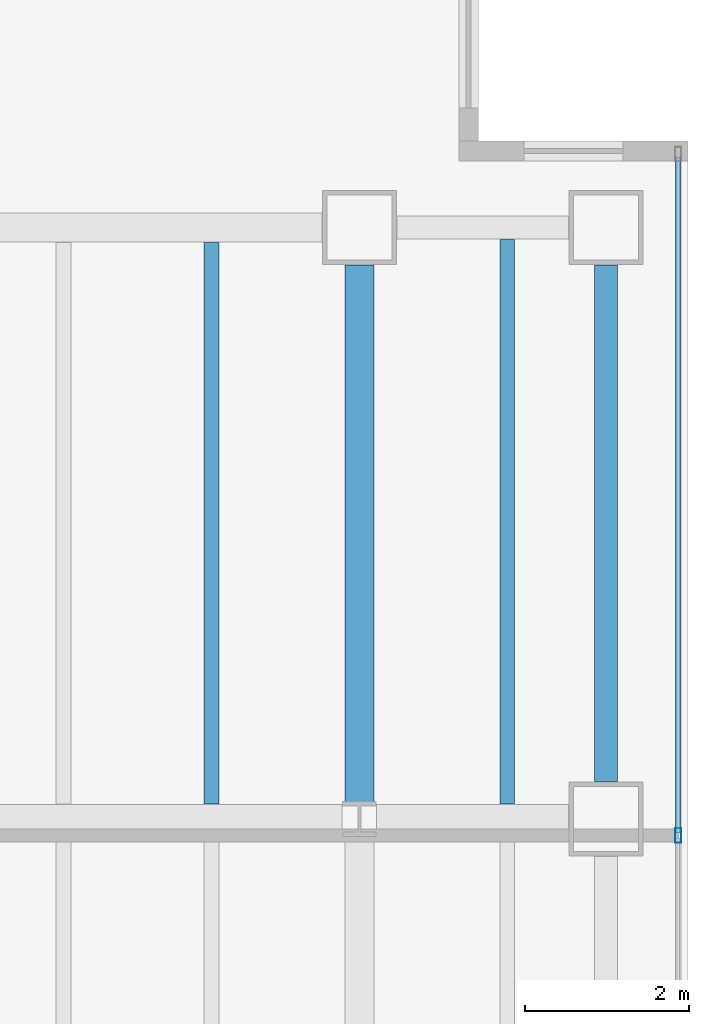
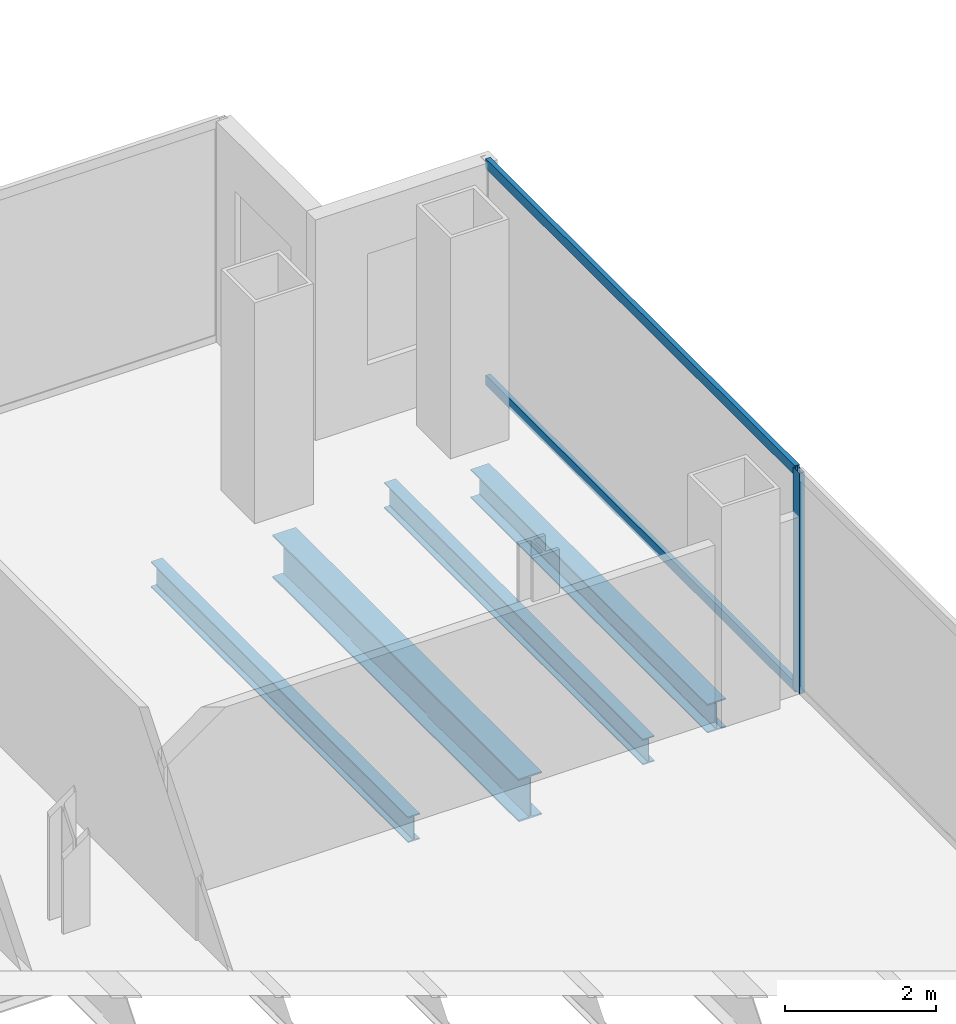
# One storey, part 13 of 24: 4 beams, 3 members, 1 element without a shape of its own.
"""IFC4 building model written with IfcOpenShell, lengths in metres."""

import ifcopenshell
import ifcopenshell.guid

model = None  # the IFC model being written
_history = None  # IfcOwnerHistory: only IFC2X3 demands one
_inside = {}  # id of a spatial element -> (the spatial element, [elements in it])
_under = {}  # id of a project, library or spatial element -> (it, [spatial elements below it])
_declared = {}  # id of a project -> (the project, [libraries it declares])
_typed = {}  # id of a type object -> (the type object, [elements of that type])
_made_of = {}  # id of a material, layer set ... -> (it, [elements and type objects made of it])


def new_model(schema):
    """Start an empty IFC model of exactly this schema.

    Asked for "IFC4X3", IfcOpenShell would pick the latest addendum, in which some entities
    have other attributes; the version numbers below select the first issue.
    IFC2X3 requires an IfcOwnerHistory on every rooted entity: one is made here for all.
    """
    global model, _history
    if schema == "IFC4X3":
        model = ifcopenshell.file(schema_version=(4, 3, 0, 0))
    else:
        model = ifcopenshell.file(schema=schema)
    _inside.clear()
    _under.clear()
    _declared.clear()
    _typed.clear()
    _made_of.clear()
    _history = None
    if model.schema == "IFC2X3":
        org = make("IfcOrganization", Name="unknown")
        user = make(
            "IfcPersonAndOrganization",
            ThePerson=make("IfcPerson", FamilyName="unknown"),
            TheOrganization=org,
        )
        app = make(
            "IfcApplication",
            ApplicationDeveloper=org,
            Version="unknown",
            ApplicationFullName="unknown",
            ApplicationIdentifier="unknown",
        )
        _history = make(
            "IfcOwnerHistory",
            OwningUser=user,
            OwningApplication=app,
            ChangeAction="ADDED",
            CreationDate=0,
        )
    return model


def make(cls, **values):
    """One entity of the class cls with the attributes given. An attribute that is None is left unset."""
    return model.create_entity(
        cls, **{name: value for name, value in values.items() if value is not None}
    )


def rooted(cls, **values):
    """An entity with a GlobalId (a new one), such as an element, a storey or a relation."""
    return make(cls, GlobalId=ifcopenshell.guid.new(), OwnerHistory=_history, **values)


def si_unit(unit_type, name, prefix=None):
    """IfcSIUnit, for example si_unit("LENGTHUNIT", "METRE", prefix="MILLI")."""
    return make("IfcSIUnit", UnitType=unit_type, Prefix=prefix, Name=name)


def assignment(units):
    """IfcUnitAssignment: the units of a project."""
    return None if units is None else make("IfcUnitAssignment", Units=units)


def point(xyz):
    """IfcCartesianPoint."""
    return None if xyz is None else make("IfcCartesianPoint", Coordinates=xyz)


def direction(xyz):
    """IfcDirection."""
    return None if xyz is None else make("IfcDirection", DirectionRatios=xyz)


def frame(location, z_axis=None, x_axis=None):
    """IfcAxis2Placement3D, a coordinate frame: its origin and axes. An axis left out is left unset."""
    return make(
        "IfcAxis2Placement3D",
        Location=point(location),
        Axis=direction(z_axis),
        RefDirection=direction(x_axis),
    )


def frame_2d(location, x_axis=None):
    """IfcAxis2Placement2D, a coordinate frame in the plane: its origin and x axis."""
    return make(
        "IfcAxis2Placement2D", Location=point(location), RefDirection=direction(x_axis)
    )


def origin():
    """The frame at (0, 0, 0) with its axes left unset."""
    return frame((0.0, 0.0, 0.0))


def origin_2d():
    """The frame at (0, 0) in the plane with its x axis left unset."""
    return frame_2d((0.0, 0.0))


def place(relative_to, where):
    """IfcLocalPlacement: puts the frame where relative to a parent placement (None: the world)."""
    return make(
        "IfcLocalPlacement", PlacementRelTo=relative_to, RelativePlacement=where
    )


def context(
    kind, dimensions, precision=None, world=None, true_north=None, identifier=None
):
    """IfcGeometricRepresentationContext, for example the 3D "Model" context."""
    return make(
        "IfcGeometricRepresentationContext",
        ContextIdentifier=identifier,
        ContextType=kind,
        CoordinateSpaceDimension=dimensions,
        Precision=precision,
        WorldCoordinateSystem=world,
        TrueNorth=true_north,
    )


def subcontext(parent, identifier, kind, view, scale=None):
    """IfcGeometricRepresentationSubContext, for example "Body" below "Model"."""
    return make(
        "IfcGeometricRepresentationSubContext",
        ContextIdentifier=identifier,
        ContextType=kind,
        ParentContext=parent,
        TargetScale=scale,
        TargetView=view,
    )


def project(units=None, contexts=None):
    """IfcProject with its units and contexts."""
    return rooted(
        "IfcProject",
        Name="project",
        RepresentationContexts=contexts,
        UnitsInContext=assignment(units),
    )


def spatial(cls, under=None, at=None, **own):
    """A site, building, storey or space (cls), placed at a placement, below another one or the project."""
    s = rooted(cls, ObjectPlacement=at, **own)
    if under is not None:
        _under.setdefault(under.id(), (under, []))[1].append(s)
    return s


def profile(cls, at=None, kind="AREA", **sizes):
    """A parametric profile (cls). Its sizes go by their IFC names, for example OverallWidth=200.0."""
    return make(cls, ProfileType=kind, Position=at, **sizes)


def hollow_rectangle(**sizes):
    """IfcRectangleHollowProfileDef."""
    return profile("IfcRectangleHollowProfileDef", **sizes)


def i_section(**sizes):
    """IfcIShapeProfileDef."""
    return profile("IfcIShapeProfileDef", **sizes)


def extrude(swept, where, along, depth):
    """IfcExtrudedAreaSolid: the profile swept, set in the frame where, extruded along a direction by depth."""
    return make(
        "IfcExtrudedAreaSolid",
        SweptArea=swept,
        Position=where,
        ExtrudedDirection=direction(along),
        Depth=depth,
    )


def shape(context_of_items, identifier, shape_type, items):
    """IfcShapeRepresentation: the items that make up one representation, for example the "Body"."""
    return make(
        "IfcShapeRepresentation",
        ContextOfItems=context_of_items,
        RepresentationIdentifier=identifier,
        RepresentationType=shape_type,
        Items=items,
    )


def material(Name=None, Category=None):
    """IfcMaterial."""
    return make("IfcMaterial", Name=Name, Category=Category)


def material_profile(
    of_material, cross_section, Name=None, Category=None, Priority=None
):
    """IfcMaterialProfile: a cross section and its material."""
    return make(
        "IfcMaterialProfile",
        Name=Name,
        Material=of_material,
        Profile=cross_section,
        Priority=Priority,
        Category=Category,
    )


def profile_set(profiles, Name=None, composite=None):
    """IfcMaterialProfileSet."""
    return make(
        "IfcMaterialProfileSet",
        Name=Name,
        MaterialProfiles=profiles,
        CompositeProfile=composite,
    )


def made_of(thing, what):
    """Note that an element or type object is made of a material, layer set ...; save() writes the relation."""
    if what is not None:
        _made_of.setdefault(what.id(), (what, []))[1].append(thing)
    return thing


def type_object(cls, material=None, **own):
    """A type object (cls), such as IfcWallType, which elements share."""
    return made_of(rooted(cls, **own), material)


def element(
    cls,
    number,
    at=None,
    inside=None,
    cuts=None,
    type_object=None,
    material=None,
    context=None,
    identifier="Body",
    shape_type=None,
    held_by="IfcProductDefinitionShape",
    body=None,
    shapes=None,
    **own,
):
    """One element of the class cls, such as IfcWall. Its Tag is "e" and its number.

    at: its placement. inside: the storey or other place that contains it. cuts: it is an
    opening in that element (IfcRelVoidsElement). A single representation is given by context,
    identifier, shape_type and body (its items); several are given by shapes. held_by: the class
    of the entity that holds the representations. save() writes the other relations.
    """
    e = rooted(cls, Tag="e%d" % number, ObjectPlacement=at, **own)
    if body is not None:
        shapes = [shape(context, identifier, shape_type, body)]
    if shapes is not None:
        e.Representation = make(held_by, Representations=shapes)
    if inside is not None:
        _inside.setdefault(inside.id(), (inside, []))[1].append(e)
    if cuts is not None:
        rooted(
            "IfcRelVoidsElement", RelatingBuildingElement=cuts, RelatedOpeningElement=e
        )
    if type_object is not None:
        _typed.setdefault(type_object.id(), (type_object, []))[1].append(e)
    return made_of(e, material)


def aggregate(whole, parts):
    """IfcRelAggregates: a whole, such as a stair, and the parts it consists of."""
    return rooted("IfcRelAggregates", RelatingObject=whole, RelatedObjects=parts)


def save(model, path):
    """Write the relations noted so far, then the file.

    IfcRelAggregates (storeys below a building ...), IfcRelContainedInSpatialStructure (elements
    in a storey), IfcRelDefinesByType, IfcRelAssociatesMaterial and IfcRelDeclares: one each for
    every whole, place, type object, material and project.
    """
    for whole, parts in _under.values():
        aggregate(whole, parts)
    for where, things in _inside.values():
        rooted(
            "IfcRelContainedInSpatialStructure",
            RelatedElements=things,
            RelatingStructure=where,
        )
    for kind, things in _typed.values():
        rooted("IfcRelDefinesByType", RelatedObjects=things, RelatingType=kind)
    for what, things in _made_of.values():
        rooted("IfcRelAssociatesMaterial", RelatedObjects=things, RelatingMaterial=what)
    for by, libraries in _declared.values():
        rooted("IfcRelDeclares", RelatingContext=by, RelatedDefinitions=libraries)
    model.write(path)


model = new_model("IFC4")

# Units and contexts
model_context = context("Model", 3, precision=1e-05, world=origin(), true_north=direction((0.0, 1.0)))
body_context = subcontext(model_context, "Body", "Model", "MODEL_VIEW")
ifc_project = project(units=[si_unit("LENGTHUNIT", "METRE"), si_unit("AREAUNIT", "SQUARE_METRE"), si_unit("VOLUMEUNIT", "CUBIC_METRE"), si_unit("PLANEANGLEUNIT", "RADIAN"), si_unit("MASSUNIT", "GRAM", prefix="KILO")], contexts=[model_context])

# Site, building, storey
site_placement = place(None, origin())
site = spatial("IfcSite", under=ifc_project, at=site_placement, CompositionType="ELEMENT")
building_placement = place(site_placement, origin())
building = spatial("IfcBuilding", under=site, at=building_placement, Name="Cobrela Telecom Tower", CompositionType="ELEMENT")
storey_placement = place(building_placement, frame((0.0, 0.0, 136.85009765625)))
storey = spatial("IfcBuildingStorey", under=building, at=storey_placement, Name="L34", CompositionType="ELEMENT", Elevation=136.85009765625)

# Beams
ifc_material_1 = material(Name="Steel ASTM A992 Grade 50", Category="steel")
ifc_material_profile_1 = material_profile(ifc_material_1, i_section(OverallWidth=0.35595703125, OverallDepth=0.696044921875, WebThickness=0.015380859375, FlangeThickness=0.024658203125, FilletRadius=0.01806640625, at=origin_2d()), Name="W27X146")
ifc_profile_set_1 = profile_set([ifc_material_profile_1], Name="Steel ASTM A992 Grade 50")
beam_type_1 = type_object("IfcBeamType", Name="BM-GIRD-05", PredefinedType="USERDEFINED", material=ifc_profile_set_1)
beam_1_placement = place(storey_placement, frame((43.199951171875, 14.609619140625, -0.6181640625), z_axis=(0.0, 1.0, 0.0), x_axis=(-1.0, 0.0, 0.0)))
element("IfcBeam", 1, at=beam_1_placement, inside=storey, type_object=beam_type_1, Name="L34 Primary Girder Y54", ObjectType="GIRDER", PredefinedType="USERDEFINED", context=body_context, shape_type="SweptSolid", body=[
    extrude(i_section(OverallWidth=0.35595703125, OverallDepth=0.696044921875, WebThickness=0.015380859375, FlangeThickness=0.024658203125, FilletRadius=0.01806640625, at=origin_2d()), origin(), (0.0, 0.0, 1.0), 6.535400390625),
])
ifc_material_profile_2 = material_profile(ifc_material_1, i_section(OverallWidth=0.179931640625, OverallDepth=0.4169921875, WebThickness=0.010986328125, FlangeThickness=0.01806640625, FilletRadius=0.011962890625, at=origin_2d()), Name="W16X57")
ifc_profile_set_2 = profile_set([ifc_material_profile_2], Name="Steel ASTM A992 Grade 50")
beam_type_2 = type_object("IfcBeamType", Name="BM-JOIST-04", PredefinedType="JOIST", material=ifc_profile_set_2)
beam_2_placement = place(storey_placement, frame((41.39990234375, 14.5830078125, -0.478515625), z_axis=(0.0, 1.0, 0.0), x_axis=(-1.0, 0.0, 0.0)))
element("IfcBeam", 2, at=beam_2_placement, inside=storey, type_object=beam_type_2, Name="L34 Secondary Composite Floor Beam J38", PredefinedType="JOIST", context=body_context, shape_type="SweptSolid", body=[
    extrude(i_section(OverallWidth=0.179931640625, OverallDepth=0.4169921875, WebThickness=0.010986328125, FlangeThickness=0.01806640625, FilletRadius=0.011962890625, at=origin_2d()), origin(), (0.0, 0.0, 1.0), 6.833984375),
])
beam_3_placement = place(storey_placement, frame((45.0, 14.5830078125, -0.478515625), z_axis=(0.0, 1.0, 0.0), x_axis=(-1.0, 0.0, 0.0)))
element("IfcBeam", 3, at=beam_3_placement, inside=storey, type_object=beam_type_2, Name="L34 Secondary Composite Floor Beam J40", PredefinedType="JOIST", context=body_context, shape_type="SweptSolid", body=[
    extrude(i_section(OverallWidth=0.179931640625, OverallDepth=0.4169921875, WebThickness=0.010986328125, FlangeThickness=0.01806640625, FilletRadius=0.011962890625, at=origin_2d()), origin(), (0.0, 0.0, 1.0), 6.87109375),
])
ifc_material_profile_3 = material_profile(ifc_material_1, i_section(OverallWidth=0.281982421875, OverallDepth=0.467041015625, WebThickness=0.01220703125, FlangeThickness=0.01953125, FilletRadius=0.012939453125, at=origin_2d()), Name="W18X86")
ifc_profile_set_3 = profile_set([ifc_material_profile_3], Name="Steel ASTM A992 Grade 50")
beam_type_3 = type_object("IfcBeamType", Name="BM-SPAND-04", PredefinedType="SPANDREL", material=ifc_profile_set_3)
beam_4_placement = place(storey_placement, frame((46.199951171875, 14.85498046875, -0.503662109375), z_axis=(0.0, 1.0, 0.0), x_axis=(-1.0, 0.0, 0.0)))
element("IfcBeam", 4, at=beam_4_placement, inside=storey, type_object=beam_type_3, Name="L34 Perimeter Spandrel Y56", PredefinedType="SPANDREL", context=body_context, shape_type="SweptSolid", body=[
    extrude(i_section(OverallWidth=0.281982421875, OverallDepth=0.467041015625, WebThickness=0.01220703125, FlangeThickness=0.01953125, FilletRadius=0.012939453125, at=origin_2d()), origin(), (0.0, 0.0, 1.0), 6.2900390625),
])

# Curtain wall, members
ifc_material_2 = material(Name="Anodized Bronze Aluminium 6063-T6", Category="aluminium")
curtain_wall_type = type_object("IfcCurtainWallType", Name="CW-SYS-TEL", PredefinedType="USERDEFINED", material=ifc_material_2)
curtain_wall_placement = place(storey_placement, origin())
curtain_wall = element("IfcCurtainWall", 5, at=curtain_wall_placement, inside=storey, type_object=curtain_wall_type, Name="L34 Unitised Bronze Curtain Wall 14", ObjectType="UNITISED CURTAIN WALL", PredefinedType="USERDEFINED")
ifc_material_profile_4 = material_profile(ifc_material_2, hollow_rectangle(XDim=0.074951171875, YDim=0.179931640625, WallThickness=0.00390625, at=origin_2d()), Name="ALU 75x180x4")
ifc_profile_set_4 = profile_set([ifc_material_profile_4], Name="Anodized Bronze Aluminium 6063-T6")
member_type_1 = type_object("IfcMemberType", Name="CW-SYS-TEL-MUL", PredefinedType="MULLION", material=ifc_profile_set_4)
member_1_placement = place(storey_placement, frame((47.080078125, 14.199951171875, 0.0), z_axis=(0.0, 0.0, 1.0), x_axis=(1.0, 0.0, 0.0)))
member_1 = element("IfcMember", 6, at=member_1_placement, type_object=member_type_1, Name="CW-TEL mullion 2", PredefinedType="MULLION", context=body_context, shape_type="SweptSolid", body=[
    extrude(hollow_rectangle(XDim=0.074951171875, YDim=0.179931640625, WallThickness=0.00390625, at=origin_2d()), origin(), (0.0, 0.0, 1.0), 3.579833984375),
])
ifc_material_profile_5 = material_profile(ifc_material_2, hollow_rectangle(XDim=0.070068359375, YDim=0.159912109375, WallThickness=0.00390625, at=origin_2d()), Name="ALU 70x160x4")
ifc_profile_set_5 = profile_set([ifc_material_profile_5], Name="Anodized Bronze Aluminium 6063-T6")
member_type_2 = type_object("IfcMemberType", Name="CW-SYS-TEL-TRN", PredefinedType="USERDEFINED", material=ifc_profile_set_5)
member_2_placement = place(storey_placement, frame((47.080078125, 22.455078125, 0.034912109375), z_axis=(0.0, -1.0, 0.0), x_axis=(1.0, 0.0, 0.0)))
member_2 = element("IfcMember", 7, at=member_2_placement, type_object=member_type_2, Name="CW-TEL transom 1.1", ObjectType="TRANSOM", PredefinedType="USERDEFINED", context=body_context, shape_type="SweptSolid", body=[
    extrude(hollow_rectangle(XDim=0.070068359375, YDim=0.159912109375, WallThickness=0.00390625, at=origin_2d()), origin(), (0.0, 0.0, 1.0), 8.217529296875),
])
member_3_placement = place(storey_placement, frame((47.080078125, 22.455078125, 3.544921875), z_axis=(0.0, -1.0, 0.0), x_axis=(1.0, 0.0, 0.0)))
member_3 = element("IfcMember", 8, at=member_3_placement, type_object=member_type_2, Name="CW-TEL transom 1.2", ObjectType="TRANSOM", PredefinedType="USERDEFINED", context=body_context, shape_type="SweptSolid", body=[
    extrude(hollow_rectangle(XDim=0.070068359375, YDim=0.159912109375, WallThickness=0.00390625, at=origin_2d()), origin(), (0.0, 0.0, 1.0), 8.217529296875),
])
aggregate(curtain_wall, [member_1, member_2, member_3])

save(model, "model.ifc")
